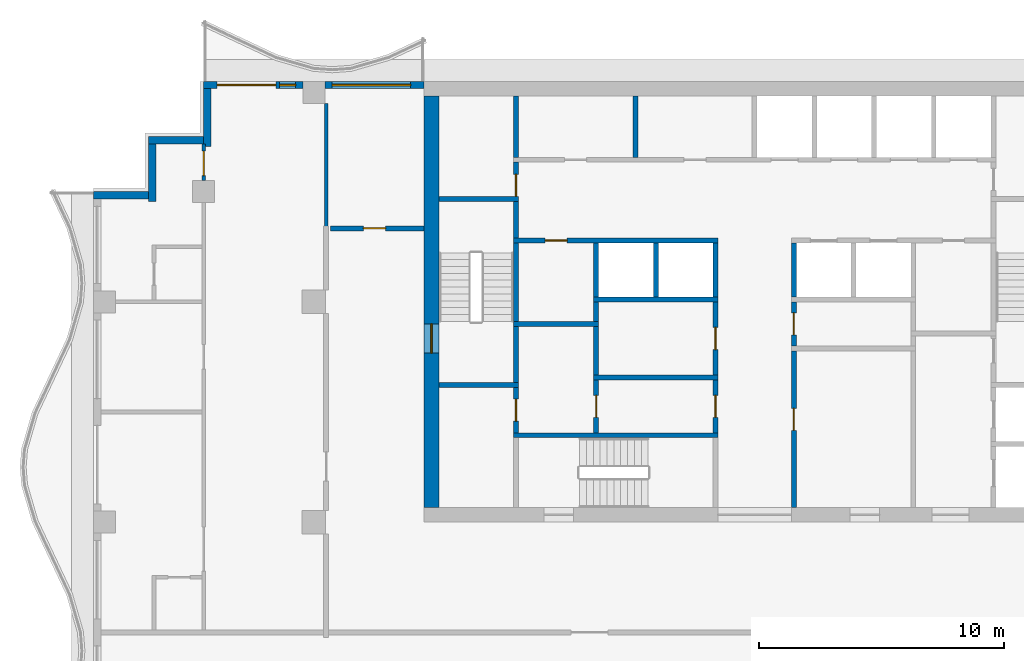
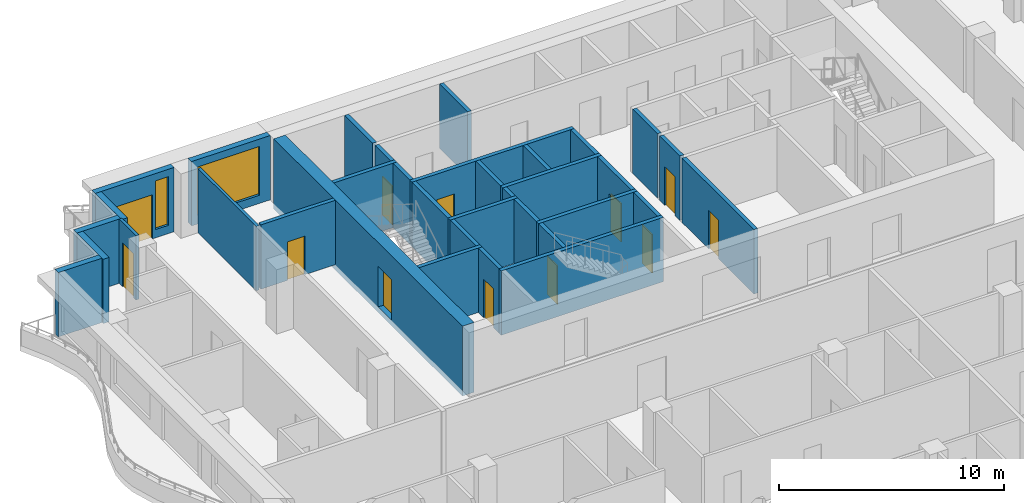
# One storey, part 5 of 11: 35 walls, 12 doors, 2 windows, 14 openings.
"""IFC4 building model written with IfcOpenShell, lengths in metres."""

from ifc_helpers import new_model, si_unit, direction, frame, frame_2d, origin, place, context, subcontext, project, spatial, rectangle, extrude, material, layer, layer_set, type_object, element, fill, save


model = new_model("IFC4")

# Units and contexts
model_context = context("Model", 3, precision=1e-05, world=origin(), true_north=direction((0.0, 1.0)))
body_context = subcontext(model_context, "Body", "Model", "MODEL_VIEW")
ifc_project = project(units=[si_unit("LENGTHUNIT", "METRE"), si_unit("AREAUNIT", "SQUARE_METRE"), si_unit("VOLUMEUNIT", "CUBIC_METRE"), si_unit("PLANEANGLEUNIT", "RADIAN"), si_unit("MASSUNIT", "GRAM", prefix="KILO")], contexts=[model_context])

# Site, building, storey
site_placement = place(None, origin())
site = spatial("IfcSite", under=ifc_project, at=site_placement, CompositionType="ELEMENT")
building_placement = place(site_placement, origin())
building = spatial("IfcBuilding", under=site, at=building_placement, Name="Orbiselva Terraces", CompositionType="ELEMENT")
storey_placement = place(building_placement, frame((0.0, 0.0, 257.8)))
storey = spatial("IfcBuildingStorey", under=building, at=storey_placement, Name="L65", CompositionType="ELEMENT", Elevation=257.8)

# Wall, opening, door
ifc_material_1 = material(Name="Concrete C80/95", Category="concrete")
ifc_layer_1 = layer(ifc_material_1, 0.6)
ifc_layer_set_1 = layer_set([ifc_layer_1], Name="Concrete C80/95")
wall_type_1 = type_object("IfcWallType", Name="CORE WALL 600", PredefinedType="SHEAR", material=ifc_layer_set_1)
wall_1_placement = place(storey_placement, frame((-13.2, 21.9, -0.3), z_axis=(0.0, 0.0, 1.0), x_axis=(0.0, -1.0, 0.0)))
wall_1 = element("IfcWall", 1, at=wall_1_placement, inside=storey, type_object=wall_type_1, Name="Core wall L65 west", PredefinedType="SHEAR", context=body_context, shape_type="SweptSolid", body=[
    extrude(rectangle(XDim=16.8, YDim=0.6, at=frame_2d((8.4, 0.0))), origin(), (0.0, 0.0, 1.0), 3.8),
])
opening_1_placement = place(wall_1_placement, frame((9.3, 0.0, 0.3)))
opening_1 = element("IfcOpeningElement", 2, at=opening_1_placement, cuts=wall_1, Name="Opening DS1200", PredefinedType="OPENING", context=body_context, shape_type="SweptSolid", body=[
    extrude(rectangle(XDim=1.2, YDim=2.2, at=frame_2d((0.6, 1.1))), frame((0.0, 0.31, 0.0), z_axis=(0.0, -1.0, 0.0), x_axis=(1.0, 0.0, 0.0)), (0.0, 0.0, 1.0), 0.62),
])
ifc_material_2 = material(Name="Steel fire door", Category="steel")
door_type_1 = type_object("IfcDoorType", Name="STAIR DOOR 1200", OperationType="NOTDEFINED", PredefinedType="DOOR", material=ifc_material_2)
door_1_placement = place(opening_1_placement, frame((1.2, 0.0, 0.0), z_axis=(0.0, 0.0, 1.0), x_axis=(-1.0, 0.0, 0.0)))
door_1 = element("IfcDoor", 3, at=door_1_placement, inside=storey, type_object=door_type_1, Name="L65 EXIT STAIR S1 door", OperationType="SINGLE_SWING_RIGHT", OverallHeight=2.2, OverallWidth=1.2, PredefinedType="DOOR", context=body_context, shape_type="SweptSolid", body=[
    extrude(rectangle(XDim=1.2, YDim=2.2, at=frame_2d((0.6, 1.1))), frame((0.0, 0.025, 0.0), z_axis=(0.0, -1.0, 0.0), x_axis=(1.0, 0.0, 0.0)), (0.0, 0.0, 1.0), 0.05),
])
fill(opening_1, door_1)

ifc_material_3 = material(Name="Masonry blockwork", Category="masonry")
ifc_layer_2 = layer(ifc_material_3, 0.2)
ifc_layer_set_2 = layer_set([ifc_layer_2], Name="Masonry blockwork")
wall_type_2 = type_object("IfcWallType", Name="CORE-WALL-PARTITION-200", PredefinedType="PARTITIONING", material=ifc_layer_set_2)
wall_2_placement = place(storey_placement, frame((-9.75, 8.15, 0.0), z_axis=(0.0, 0.0, 1.0), x_axis=(0.0, 1.0, 0.0)))
wall_2 = element("IfcWall", 4, at=wall_2_placement, inside=storey, type_object=wall_type_2, Name="L65 core wall 05", PredefinedType="PARTITIONING", context=body_context, shape_type="SweptSolid", body=[
    extrude(rectangle(XDim=1.85, YDim=0.2, at=frame_2d((0.925, 0.0))), origin(), (0.0, 0.0, 1.0), 3.5),
])
opening_2_placement = place(wall_2_placement, frame((0.475, 0.0, 0.0)))
opening_2 = element("IfcOpeningElement", 5, at=opening_2_placement, cuts=wall_2, Name="Opening DR900", PredefinedType="OPENING", context=body_context, shape_type="SweptSolid", body=[
    extrude(rectangle(XDim=0.9, YDim=2.1, at=frame_2d((0.45, 1.05))), frame((0.0, 0.11, 0.0), z_axis=(0.0, -1.0, 0.0), x_axis=(1.0, 0.0, 0.0)), (0.0, 0.0, 1.0), 0.22),
])
door_type_2 = type_object("IfcDoorType", Name="ROOM DOOR 900", OperationType="NOTDEFINED", PredefinedType="DOOR", material=ifc_material_2)
door_2_placement = place(opening_2_placement, origin())
door_2 = element("IfcDoor", 6, at=door_2_placement, inside=storey, type_object=door_type_2, Name="L65 CLEANERS STORE door", OperationType="SINGLE_SWING_RIGHT", OverallHeight=2.1, OverallWidth=0.9, PredefinedType="DOOR", context=body_context, shape_type="SweptSolid", body=[
    extrude(rectangle(XDim=0.9, YDim=2.1, at=frame_2d((0.45, 1.05))), frame((0.0, 0.025, 0.0), z_axis=(0.0, -1.0, 0.0), x_axis=(1.0, 0.0, 0.0)), (0.0, 0.0, 1.0), 0.05),
])
fill(opening_2, door_2)

wall_3_placement = place(storey_placement, frame((-9.75, 17.8, 0.0), z_axis=(0.0, 0.0, 1.0), x_axis=(0.0, 1.0, 0.0)))
wall_3 = element("IfcWall", 7, at=wall_3_placement, inside=storey, type_object=wall_type_2, Name="L65 core wall 11", PredefinedType="PARTITIONING", context=body_context, shape_type="SweptSolid", body=[
    extrude(rectangle(XDim=1.4, YDim=0.2, at=frame_2d((0.7, 0.0))), origin(), (0.0, 0.0, 1.0), 3.5),
])
opening_3_placement = place(wall_3_placement, origin())
opening_3 = element("IfcOpeningElement", 8, at=opening_3_placement, cuts=wall_3, Name="Opening DR900", PredefinedType="OPENING", context=body_context, shape_type="SweptSolid", body=[
    extrude(rectangle(XDim=0.9, YDim=2.1, at=frame_2d((0.45, 1.05))), frame((0.0, 0.11, 0.0), z_axis=(0.0, -1.0, 0.0), x_axis=(1.0, 0.0, 0.0)), (0.0, 0.0, 1.0), 0.22),
])
door_3_placement = place(opening_3_placement, origin())
door_3 = element("IfcDoor", 9, at=door_3_placement, inside=storey, type_object=door_type_2, Name="L65 COMMS RISER ROOM door", OperationType="SINGLE_SWING_LEFT", OverallHeight=2.1, OverallWidth=0.9, PredefinedType="DOOR", context=body_context, shape_type="SweptSolid", body=[
    extrude(rectangle(XDim=0.9, YDim=2.1, at=frame_2d((0.45, 1.05))), frame((0.0, 0.025, 0.0), z_axis=(0.0, -1.0, 0.0), x_axis=(1.0, 0.0, 0.0)), (0.0, 0.0, 1.0), 0.05),
])
fill(opening_3, door_3)

# Wall
wall_4_placement = place(storey_placement, frame((-9.75, 19.4, 0.0), z_axis=(0.0, 0.0, 1.0), x_axis=(0.0, 1.0, 0.0)))
element("IfcWall", 10, at=wall_4_placement, inside=storey, type_object=wall_type_2, Name="L65 core wall 13", PredefinedType="PARTITIONING", context=body_context, shape_type="SweptSolid", body=[
    extrude(rectangle(XDim=2.5, YDim=0.2, at=frame_2d((1.25, 0.0))), origin(), (0.0, 0.0, 1.0), 3.5),
])

# Wall, opening, door
wall_5_placement = place(storey_placement, frame((-6.475, 8.15, 0.0), z_axis=(0.0, 0.0, 1.0), x_axis=(0.0, 1.0, 0.0)))
wall_5 = element("IfcWall", 11, at=wall_5_placement, inside=storey, type_object=wall_type_2, Name="L65 core wall 14", PredefinedType="PARTITIONING", context=body_context, shape_type="SweptSolid", body=[
    extrude(rectangle(XDim=2.15, YDim=0.2, at=frame_2d((1.075, 0.0))), origin(), (0.0, 0.0, 1.0), 3.5),
])
opening_4_placement = place(wall_5_placement, frame((0.625, 0.0, 0.0)))
opening_4 = element("IfcOpeningElement", 12, at=opening_4_placement, cuts=wall_5, Name="Opening DR900", PredefinedType="OPENING", context=body_context, shape_type="SweptSolid", body=[
    extrude(rectangle(XDim=0.9, YDim=2.1, at=frame_2d((0.45, 1.05))), frame((0.0, 0.11, 0.0), z_axis=(0.0, -1.0, 0.0), x_axis=(1.0, 0.0, 0.0)), (0.0, 0.0, 1.0), 0.22),
])
door_4_placement = place(opening_4_placement, origin())
door_4 = element("IfcDoor", 13, at=door_4_placement, inside=storey, type_object=door_type_2, Name="L65 STAFF ROOM door", OperationType="SINGLE_SWING_LEFT", OverallHeight=2.1, OverallWidth=0.9, PredefinedType="DOOR", context=body_context, shape_type="SweptSolid", body=[
    extrude(rectangle(XDim=0.9, YDim=2.1, at=frame_2d((0.45, 1.05))), frame((0.0, 0.025, 0.0), z_axis=(0.0, -1.0, 0.0), x_axis=(1.0, 0.0, 0.0)), (0.0, 0.0, 1.0), 0.05),
])
fill(opening_4, door_4)

# Walls
wall_6_placement = place(storey_placement, frame((-6.475, 10.5, 0.0), z_axis=(0.0, 0.0, 1.0), x_axis=(0.0, 1.0, 0.0)))
element("IfcWall", 14, at=wall_6_placement, inside=storey, type_object=wall_type_2, Name="L65 core wall 16", PredefinedType="PARTITIONING", context=body_context, shape_type="SweptSolid", body=[
    extrude(rectangle(XDim=2.0, YDim=0.2, at=frame_2d((1.0, 0.0))), origin(), (0.0, 0.0, 1.0), 3.5),
])
wall_7_placement = place(storey_placement, frame((-6.475, 12.7, 0.0), z_axis=(0.0, 0.0, 1.0), x_axis=(0.0, 1.0, 0.0)))
element("IfcWall", 15, at=wall_7_placement, inside=storey, type_object=wall_type_2, Name="L65 core wall 17", PredefinedType="PARTITIONING", context=body_context, shape_type="SweptSolid", body=[
    extrude(rectangle(XDim=0.8, YDim=0.2, at=frame_2d((0.4, 0.0))), origin(), (0.0, 0.0, 1.0), 3.5),
])
wall_8_placement = place(storey_placement, frame((-4.875, 19.4, 0.0), z_axis=(0.0, 0.0, 1.0), x_axis=(0.0, 1.0, 0.0)))
element("IfcWall", 16, at=wall_8_placement, inside=storey, type_object=wall_type_2, Name="L65 core wall 20", PredefinedType="PARTITIONING", context=body_context, shape_type="SweptSolid", body=[
    extrude(rectangle(XDim=2.5, YDim=0.2, at=frame_2d((1.25, 0.0))), origin(), (0.0, 0.0, 1.0), 3.5),
])

# Wall, opening, door
wall_9_placement = place(storey_placement, frame((-1.6, 8.15, 0.0), z_axis=(0.0, 0.0, 1.0), x_axis=(0.0, 1.0, 0.0)))
wall_9 = element("IfcWall", 17, at=wall_9_placement, inside=storey, type_object=wall_type_2, Name="L65 core wall 23", PredefinedType="PARTITIONING", context=body_context, shape_type="SweptSolid", body=[
    extrude(rectangle(XDim=2.15, YDim=0.2, at=frame_2d((1.075, 0.0))), origin(), (0.0, 0.0, 1.0), 3.5),
])
opening_5_placement = place(wall_9_placement, frame((0.625, 0.0, 0.0)))
opening_5 = element("IfcOpeningElement", 18, at=opening_5_placement, cuts=wall_9, Name="Opening DR900", PredefinedType="OPENING", context=body_context, shape_type="SweptSolid", body=[
    extrude(rectangle(XDim=0.9, YDim=2.1, at=frame_2d((0.45, 1.05))), frame((0.0, 0.11, 0.0), z_axis=(0.0, -1.0, 0.0), x_axis=(1.0, 0.0, 0.0)), (0.0, 0.0, 1.0), 0.22),
])
door_5_placement = place(opening_5_placement, origin())
door_5 = element("IfcDoor", 19, at=door_5_placement, inside=storey, type_object=door_type_2, Name="L65 SERVICE PANTRY door", OperationType="SINGLE_SWING_LEFT", OverallHeight=2.1, OverallWidth=0.9, PredefinedType="DOOR", context=body_context, shape_type="SweptSolid", body=[
    extrude(rectangle(XDim=0.9, YDim=2.1, at=frame_2d((0.45, 1.05))), frame((0.0, 0.025, 0.0), z_axis=(0.0, -1.0, 0.0), x_axis=(1.0, 0.0, 0.0)), (0.0, 0.0, 1.0), 0.05),
])
fill(opening_5, door_5)

wall_10_placement = place(storey_placement, frame((-1.6, 10.5, 0.0), z_axis=(0.0, 0.0, 1.0), x_axis=(0.0, 1.0, 0.0)))
wall_10 = element("IfcWall", 20, at=wall_10_placement, inside=storey, type_object=wall_type_2, Name="L65 core wall 24", PredefinedType="PARTITIONING", context=body_context, shape_type="SweptSolid", body=[
    extrude(rectangle(XDim=3.0, YDim=0.2, at=frame_2d((1.5, 0.0))), origin(), (0.0, 0.0, 1.0), 3.5),
])
opening_6_placement = place(wall_10_placement, frame((1.05, 0.0, 0.0)))
opening_6 = element("IfcOpeningElement", 21, at=opening_6_placement, cuts=wall_10, Name="Opening DR900", PredefinedType="OPENING", context=body_context, shape_type="SweptSolid", body=[
    extrude(rectangle(XDim=0.9, YDim=2.1, at=frame_2d((0.45, 1.05))), frame((0.0, 0.11, 0.0), z_axis=(0.0, -1.0, 0.0), x_axis=(1.0, 0.0, 0.0)), (0.0, 0.0, 1.0), 0.22),
])
door_6_placement = place(opening_6_placement, origin())
door_6 = element("IfcDoor", 22, at=door_6_placement, inside=storey, type_object=door_type_2, Name="L65 LINEN STORE door", OperationType="SINGLE_SWING_RIGHT", OverallHeight=2.1, OverallWidth=0.9, PredefinedType="DOOR", context=body_context, shape_type="SweptSolid", body=[
    extrude(rectangle(XDim=0.9, YDim=2.1, at=frame_2d((0.45, 1.05))), frame((0.0, 0.025, 0.0), z_axis=(0.0, -1.0, 0.0), x_axis=(1.0, 0.0, 0.0)), (0.0, 0.0, 1.0), 0.05),
])
fill(opening_6, door_6)

wall_11_placement = place(storey_placement, frame((1.6, 13.5, 0.0), z_axis=(0.0, 0.0, 1.0), x_axis=(0.0, -1.0, 0.0)))
wall_11 = element("IfcWall", 23, at=wall_11_placement, inside=storey, type_object=wall_type_2, Name="L65 core wall 29", PredefinedType="PARTITIONING", context=body_context, shape_type="SweptSolid", body=[
    extrude(rectangle(XDim=1.8, YDim=0.2, at=frame_2d((0.9, 0.0))), origin(), (0.0, 0.0, 1.0), 3.5),
])
opening_7_placement = place(wall_11_placement, frame((0.45, 0.0, 0.0)))
opening_7 = element("IfcOpeningElement", 24, at=opening_7_placement, cuts=wall_11, Name="Opening DR900", PredefinedType="OPENING", context=body_context, shape_type="SweptSolid", body=[
    extrude(rectangle(XDim=0.9, YDim=2.1, at=frame_2d((0.45, 1.05))), frame((0.0, 0.11, 0.0), z_axis=(0.0, -1.0, 0.0), x_axis=(1.0, 0.0, 0.0)), (0.0, 0.0, 1.0), 0.22),
])
door_7_placement = place(opening_7_placement, origin())
door_7 = element("IfcDoor", 25, at=door_7_placement, inside=storey, type_object=door_type_2, Name="L65 IT ROOM door", OperationType="SINGLE_SWING_LEFT", OverallHeight=2.1, OverallWidth=0.9, PredefinedType="DOOR", context=body_context, shape_type="SweptSolid", body=[
    extrude(rectangle(XDim=0.9, YDim=2.1, at=frame_2d((0.45, 1.05))), frame((0.0, 0.025, 0.0), z_axis=(0.0, -1.0, 0.0), x_axis=(1.0, 0.0, 0.0)), (0.0, 0.0, 1.0), 0.05),
])
fill(opening_7, door_7)

# Walls
ifc_material_4 = material(Name="Concrete C40/50", Category="concrete")
ifc_layer_3 = layer(ifc_material_4, 0.2)
ifc_layer_set_3 = layer_set([ifc_layer_3], Name="Concrete C40/50")
wall_type_3 = type_object("IfcWallType", Name="CORE-WALL-SHAFT-200", PredefinedType="PARTITIONING", material=ifc_layer_set_3)
for number, where, z_axis, x_axis, name in (
    (26, (-6.475, 13.7, 0.0), (0.0, 0.0, 1.0), (0.0, 1.0, 0.0), "L65 core wall 19"),
    (27, (-4.0375, 13.7, 0.0), (0.0, 0.0, 1.0), (0.0, 1.0, 0.0), "L65 core wall 21"),
    (28, (-1.6, 13.7, 0.0), (0.0, 0.0, 1.0), (0.0, 1.0, 0.0), "L65 core wall 25"),
    (29, (1.6, 13.7, 0.0), (0.0, 0.0, 1.0), (0.0, 1.0, 0.0), "L65 core wall 31"),
):
    element("IfcWall", number, at=place(storey_placement, frame(where, z_axis=z_axis, x_axis=x_axis)), inside=storey, type_object=wall_type_3, Name=name, PredefinedType="PARTITIONING", context=body_context, shape_type="SweptSolid", body=[
        extrude(rectangle(XDim=2.2, YDim=0.2, at=frame_2d((1.1, 0.0))), origin(), (0.0, 0.0, 1.0), 3.5),
    ])
ifc_material_5 = material(Name="Concrete C60/75", Category="concrete")
ifc_layer_4 = layer(ifc_material_5, 0.2)
ifc_layer_set_4 = layer_set([ifc_layer_4], Name="Concrete C60/75")
wall_type_4 = type_object("IfcWallType", Name="CORE-WALL-SHEAR-200", PredefinedType="SHEAR", material=ifc_layer_set_4)
for number, where, z_axis, x_axis, name in (
    (30, (-12.9, 10.1, 0.0), (0.0, 0.0, 1.0), (1.0, 0.0, 0.0), "L65 core wall 01"),
    (31, (-12.9, 17.7, 0.0), (0.0, 0.0, 1.0), (1.0, 0.0, 0.0), "L65 core wall 02"),
):
    element("IfcWall", number, at=place(storey_placement, frame(where, z_axis=z_axis, x_axis=x_axis)), inside=storey, type_object=wall_type_4, Name=name, PredefinedType="SHEAR", context=body_context, shape_type="SweptSolid", body=[
        extrude(rectangle(XDim=3.25, YDim=0.2, at=frame_2d((1.625, 0.0))), origin(), (0.0, 0.0, 1.0), 3.5),
    ])
wall_12_placement = place(storey_placement, frame((-9.85, 8.05, 0.0), z_axis=(0.0, 0.0, 1.0), x_axis=(1.0, 0.0, 0.0)))
element("IfcWall", 32, at=wall_12_placement, inside=storey, type_object=wall_type_4, Name="L65 core wall 04", PredefinedType="SHEAR", context=body_context, shape_type="SweptSolid", body=[
    extrude(rectangle(XDim=8.35, YDim=0.2, at=frame_2d((4.175, 0.0))), origin(), (0.0, 0.0, 1.0), 3.5),
])
wall_13_placement = place(storey_placement, frame((-9.75, 10.2, 0.0), z_axis=(0.0, 0.0, 1.0), x_axis=(0.0, 1.0, 0.0)))
element("IfcWall", 33, at=wall_13_placement, inside=storey, type_object=wall_type_4, Name="L65 core wall 06", PredefinedType="SHEAR", context=body_context, shape_type="SweptSolid", body=[
    extrude(rectangle(XDim=2.3, YDim=0.2, at=frame_2d((1.15, 0.0))), origin(), (0.0, 0.0, 1.0), 3.5),
])
wall_14_placement = place(storey_placement, frame((-9.85, 12.6, 0.0), z_axis=(0.0, 0.0, 1.0), x_axis=(1.0, 0.0, 0.0)))
element("IfcWall", 34, at=wall_14_placement, inside=storey, type_object=wall_type_4, Name="L65 core wall 07", PredefinedType="SHEAR", context=body_context, shape_type="SweptSolid", body=[
    extrude(rectangle(XDim=3.475, YDim=0.2, at=frame_2d((1.7375, 0.0))), origin(), (0.0, 0.0, 1.0), 3.5),
])
wall_15_placement = place(storey_placement, frame((-9.75, 12.7, 0.0), z_axis=(0.0, 0.0, 1.0), x_axis=(0.0, 1.0, 0.0)))
element("IfcWall", 35, at=wall_15_placement, inside=storey, type_object=wall_type_4, Name="L65 core wall 08", PredefinedType="SHEAR", context=body_context, shape_type="SweptSolid", body=[
    extrude(rectangle(XDim=3.2, YDim=0.2, at=frame_2d((1.6, 0.0))), origin(), (0.0, 0.0, 1.0), 3.5),
])

# Wall, opening, door
wall_16_placement = place(storey_placement, frame((-1.5, 16.0, 0.0), z_axis=(0.0, 0.0, 1.0), x_axis=(-1.0, 0.0, 0.0)))
wall_16 = element("IfcWall", 36, at=wall_16_placement, inside=storey, type_object=wall_type_4, Name="L65 core wall 09", PredefinedType="SHEAR", context=body_context, shape_type="SweptSolid", body=[
    extrude(rectangle(XDim=8.35, YDim=0.2, at=frame_2d((4.175, 0.0))), origin(), (0.0, 0.0, 1.0), 3.5),
])
opening_8_placement = place(wall_16_placement, frame((6.1625, 0.0, 0.0)))
opening_8 = element("IfcOpeningElement", 37, at=opening_8_placement, cuts=wall_16, Name="Opening DR900", PredefinedType="OPENING", context=body_context, shape_type="SweptSolid", body=[
    extrude(rectangle(XDim=0.9, YDim=2.1, at=frame_2d((0.45, 1.05))), frame((0.0, 0.11, 0.0), z_axis=(0.0, -1.0, 0.0), x_axis=(1.0, 0.0, 0.0)), (0.0, 0.0, 1.0), 0.22),
])
door_8_placement = place(opening_8_placement, origin())
door_8 = element("IfcDoor", 38, at=door_8_placement, inside=storey, type_object=door_type_2, Name="L65 IT ROOM door", OperationType="SINGLE_SWING_RIGHT", OverallHeight=2.1, OverallWidth=0.9, PredefinedType="DOOR", context=body_context, shape_type="SweptSolid", body=[
    extrude(rectangle(XDim=0.9, YDim=2.1, at=frame_2d((0.45, 1.05))), frame((0.0, 0.025, 0.0), z_axis=(0.0, -1.0, 0.0), x_axis=(1.0, 0.0, 0.0)), (0.0, 0.0, 1.0), 0.05),
])
fill(opening_8, door_8)

# Walls
wall_17_placement = place(storey_placement, frame((-9.75, 16.1, 0.0), z_axis=(0.0, 0.0, 1.0), x_axis=(0.0, 1.0, 0.0)))
element("IfcWall", 39, at=wall_17_placement, inside=storey, type_object=wall_type_4, Name="L65 core wall 10", PredefinedType="SHEAR", context=body_context, shape_type="SweptSolid", body=[
    extrude(rectangle(XDim=1.5, YDim=0.2, at=frame_2d((0.75, 0.0))), origin(), (0.0, 0.0, 1.0), 3.5),
])
for number, where, z_axis, x_axis, name in (
    (40, (-6.575, 10.4, 0.0), (0.0, 0.0, 1.0), (1.0, 0.0, 0.0), "L65 core wall 15"),
    (41, (-6.575, 13.6, 0.0), (0.0, 0.0, 1.0), (1.0, 0.0, 0.0), "L65 core wall 18"),
):
    element("IfcWall", number, at=place(storey_placement, frame(where, z_axis=z_axis, x_axis=x_axis)), inside=storey, type_object=wall_type_4, Name=name, PredefinedType="SHEAR", context=body_context, shape_type="SweptSolid", body=[
        extrude(rectangle(XDim=5.075, YDim=0.2, at=frame_2d((2.5375, 0.0))), origin(), (0.0, 0.0, 1.0), 3.5),
    ])

# Wall, opening, door
wall_18_placement = place(storey_placement, frame((1.6, 11.5, 0.0), z_axis=(0.0, 0.0, 1.0), x_axis=(0.0, -1.0, 0.0)))
wall_18 = element("IfcWall", 42, at=wall_18_placement, inside=storey, type_object=wall_type_4, Name="L65 core wall 27", PredefinedType="SHEAR", context=body_context, shape_type="SweptSolid", body=[
    extrude(rectangle(XDim=6.4, YDim=0.2, at=frame_2d((3.2, 0.0))), origin(), (0.0, 0.0, 1.0), 3.5),
])
opening_9_placement = place(wall_18_placement, frame((2.35, 0.0, 0.0)))
opening_9 = element("IfcOpeningElement", 43, at=opening_9_placement, cuts=wall_18, Name="Opening DR900", PredefinedType="OPENING", context=body_context, shape_type="SweptSolid", body=[
    extrude(rectangle(XDim=0.9, YDim=2.1, at=frame_2d((0.45, 1.05))), frame((0.0, 0.11, 0.0), z_axis=(0.0, -1.0, 0.0), x_axis=(1.0, 0.0, 0.0)), (0.0, 0.0, 1.0), 0.22),
])
door_9_placement = place(opening_9_placement, origin())
door_9 = element("IfcDoor", 44, at=door_9_placement, inside=storey, type_object=door_type_2, Name="L65 SERVICE ROOM door", OperationType="SINGLE_SWING_LEFT", OverallHeight=2.1, OverallWidth=0.9, PredefinedType="DOOR", context=body_context, shape_type="SweptSolid", body=[
    extrude(rectangle(XDim=0.9, YDim=2.1, at=frame_2d((0.45, 1.05))), frame((0.0, 0.025, 0.0), z_axis=(0.0, -1.0, 0.0), x_axis=(1.0, 0.0, 0.0)), (0.0, 0.0, 1.0), 0.05),
])
fill(opening_9, door_9)

# Wall, opening, window
ifc_material_6 = material(Name="Terracotta cladding on masonry backing", Category="masonry")
ifc_layer_5 = layer(ifc_material_6, 0.3)
ifc_layer_set_5 = layer_set([ifc_layer_5], Name="Terracotta cladding on masonry backing")
wall_type_5 = type_object("IfcWallType", Name="ENV-WALL-TERRACOTTA-300", PredefinedType="SOLIDWALL", material=ifc_layer_set_5)
wall_19_placement = place(storey_placement, frame((-17.55, 22.35, 0.0), z_axis=(0.0, 0.0, 1.0), x_axis=(1.0, 0.0, 0.0)))
wall_19 = element("IfcWall", 45, at=wall_19_placement, inside=storey, type_object=wall_type_5, Name="Facade wall L65 NW", PredefinedType="SOLIDWALL", context=body_context, shape_type="SweptSolid", body=[
    extrude(rectangle(XDim=4.05, YDim=0.3, at=frame_2d((2.025, 0.0))), origin(), (0.0, 0.0, 1.0), 3.5),
])
opening_10_placement = place(wall_19_placement, frame((0.3, 0.0, 0.45)))
opening_10 = element("IfcOpeningElement", 46, at=opening_10_placement, cuts=wall_19, Name="Opening WN17", PredefinedType="OPENING", context=body_context, shape_type="SweptSolid", body=[
    extrude(rectangle(XDim=3.2, YDim=2.65, at=frame_2d((1.6, 1.325))), frame((0.0, 0.16, 0.0), z_axis=(0.0, -1.0, 0.0), x_axis=(1.0, 0.0, 0.0)), (0.0, 0.0, 1.0), 0.32),
])
ifc_material_7 = material(Name="Clear low-e glazing in aluminium frame", Category="aluminium")
window_type_1 = type_object("IfcWindowType", Name="WINDOW 3200 X 2650 S450", PartitioningType="TRIPLE_PANEL_VERTICAL", PredefinedType="WINDOW", material=ifc_material_7)
window_1_placement = place(opening_10_placement, origin())
window_1 = element("IfcWindow", 47, at=window_1_placement, inside=storey, type_object=window_type_1, Name="Window L65 NW", OverallHeight=2.65, OverallWidth=3.2, PartitioningType="SINGLE_PANEL", PredefinedType="WINDOW", context=body_context, shape_type="SweptSolid", body=[
    extrude(rectangle(XDim=3.2, YDim=2.65, at=frame_2d((1.6, 1.325))), frame((0.0, 0.03, 0.0), z_axis=(0.0, -1.0, 0.0), x_axis=(1.0, 0.0, 0.0)), (0.0, 0.0, 1.0), 0.06),
])
fill(opening_10, window_1)

# Wall, openings, door, window
wall_20_placement = place(storey_placement, frame((-22.5, 22.35, 0.0), z_axis=(0.0, 0.0, 1.0), x_axis=(1.0, 0.0, 0.0)))
wall_20 = element("IfcWall", 48, at=wall_20_placement, inside=storey, type_object=wall_type_5, Name="Facade wall L65 NW", PredefinedType="SOLIDWALL", context=body_context, shape_type="SweptSolid", body=[
    extrude(rectangle(XDim=4.05, YDim=0.3, at=frame_2d((2.025, 0.0))), origin(), (0.0, 0.0, 1.0), 3.5),
])
opening_11_placement = place(wall_20_placement, frame((3.1, 0.0, 0.45)))
opening_11 = element("IfcOpeningElement", 49, at=opening_11_placement, cuts=wall_20, Name="Opening WN2", PredefinedType="OPENING", context=body_context, shape_type="SweptSolid", body=[
    extrude(rectangle(XDim=0.65, YDim=2.65, at=frame_2d((0.325, 1.325))), frame((0.0, 0.16, 0.0), z_axis=(0.0, -1.0, 0.0), x_axis=(1.0, 0.0, 0.0)), (0.0, 0.0, 1.0), 0.32),
])
opening_12_placement = place(wall_20_placement, frame((0.55, 0.0, 0.0)))
opening_12 = element("IfcOpeningElement", 50, at=opening_12_placement, cuts=wall_20, Name="Opening Z5-B-E21", PredefinedType="OPENING", context=body_context, shape_type="SweptSolid", body=[
    extrude(rectangle(XDim=2.4, YDim=2.4, at=frame_2d((1.2, 1.2))), frame((0.0, 0.16, 0.0), z_axis=(0.0, -1.0, 0.0), x_axis=(1.0, 0.0, 0.0)), (0.0, 0.0, 1.0), 0.32),
])
door_type_3 = type_object("IfcDoorType", Name="BALCONY DOOR 2400 X 2400", OperationType="DOUBLE_DOOR_SLIDING", PredefinedType="DOOR", material=ifc_material_7)
door_10_placement = place(opening_12_placement, origin())
door_10 = element("IfcDoor", 51, at=door_10_placement, inside=storey, type_object=door_type_3, Name="Z5-B-E21", OperationType="SINGLE_SWING_LEFT", OverallHeight=2.4, OverallWidth=2.4, PredefinedType="DOOR", context=body_context, shape_type="SweptSolid", body=[
    extrude(rectangle(XDim=2.4, YDim=2.4, at=frame_2d((1.2, 1.2))), frame((0.0, 0.025, 0.0), z_axis=(0.0, -1.0, 0.0), x_axis=(1.0, 0.0, 0.0)), (0.0, 0.0, 1.0), 0.05),
])
fill(opening_12, door_10)
window_type_2 = type_object("IfcWindowType", Name="WINDOW 650 X 2650 S450", PartitioningType="TRIPLE_PANEL_VERTICAL", PredefinedType="WINDOW", material=ifc_material_7)
window_2_placement = place(opening_11_placement, origin())
window_2 = element("IfcWindow", 52, at=window_2_placement, inside=storey, type_object=window_type_2, Name="Window L65 NW", OverallHeight=2.65, OverallWidth=0.65, PartitioningType="SINGLE_PANEL", PredefinedType="WINDOW", context=body_context, shape_type="SweptSolid", body=[
    extrude(rectangle(XDim=0.65, YDim=2.65, at=frame_2d((0.325, 1.325))), frame((0.0, 0.03, 0.0), z_axis=(0.0, -1.0, 0.0), x_axis=(1.0, 0.0, 0.0)), (0.0, 0.0, 1.0), 0.06),
])
fill(opening_11, window_2)

# Walls
wall_21_placement = place(storey_placement, frame((-22.35, 19.85, 0.0), z_axis=(0.0, 0.0, 1.0), x_axis=(0.0, 1.0, 0.0)))
element("IfcWall", 53, at=wall_21_placement, inside=storey, type_object=wall_type_5, Name="Facade wall L65 STEP", PredefinedType="SOLIDWALL", context=body_context, shape_type="SweptSolid", body=[
    extrude(rectangle(XDim=2.35, YDim=0.3, at=frame_2d((1.175, 0.0))), origin(), (0.0, 0.0, 1.0), 3.5),
])
wall_22_placement = place(storey_placement, frame((-24.75, 20.1, 0.0), z_axis=(0.0, 0.0, 1.0), x_axis=(1.0, 0.0, 0.0)))
element("IfcWall", 54, at=wall_22_placement, inside=storey, type_object=wall_type_5, Name="Facade wall L65 STEP", PredefinedType="SOLIDWALL", context=body_context, shape_type="SweptSolid", body=[
    extrude(rectangle(XDim=2.25, YDim=0.3, at=frame_2d((1.125, 0.0))), origin(), (0.0, 0.0, 1.0), 3.5),
])
wall_23_placement = place(storey_placement, frame((-24.6, 17.6, 0.0), z_axis=(0.0, 0.0, 1.0), x_axis=(0.0, 1.0, 0.0)))
element("IfcWall", 55, at=wall_23_placement, inside=storey, type_object=wall_type_5, Name="Facade wall L65 STEP", PredefinedType="SOLIDWALL", context=body_context, shape_type="SweptSolid", body=[
    extrude(rectangle(XDim=2.35, YDim=0.3, at=frame_2d((1.175, 0.0))), origin(), (0.0, 0.0, 1.0), 3.5),
])
wall_24_placement = place(storey_placement, frame((-27.0, 17.85, 0.0), z_axis=(0.0, 0.0, 1.0), x_axis=(1.0, 0.0, 0.0)))
element("IfcWall", 56, at=wall_24_placement, inside=storey, type_object=wall_type_5, Name="Facade wall L65 STEP", PredefinedType="SOLIDWALL", context=body_context, shape_type="SweptSolid", body=[
    extrude(rectangle(XDim=2.25, YDim=0.3, at=frame_2d((1.125, 0.0))), origin(), (0.0, 0.0, 1.0), 3.5),
])

# Wall, opening, door
ifc_material_8 = material(Name="Plasterboard on steel stud partition", Category="steel")
ifc_layer_6 = layer(ifc_material_8, 0.2)
ifc_layer_set_6 = layer_set([ifc_layer_6], Name="Plasterboard on steel stud partition")
wall_type_6 = type_object("IfcWallType", Name="UNIT-ENTRANCE-WALL-200", PredefinedType="PARTITIONING", material=ifc_layer_set_6)
wall_25_placement = place(storey_placement, frame((-17.325, 16.5, 0.0), z_axis=(0.0, 0.0, 1.0), x_axis=(1.0, 0.0, 0.0)))
wall_25 = element("IfcWall", 57, at=wall_25_placement, inside=storey, type_object=wall_type_6, Name="PARTITION L65-038", PredefinedType="PARTITIONING", context=body_context, shape_type="SweptSolid", body=[
    extrude(rectangle(XDim=3.825, YDim=0.2, at=frame_2d((1.9125, 0.0))), origin(), (0.0, 0.0, 1.0), 3.5),
])
opening_13_placement = place(wall_25_placement, frame((1.35, 0.0, 0.0)))
opening_13 = element("IfcOpeningElement", 58, at=opening_13_placement, cuts=wall_25, Name="Opening Z5-B-01", PredefinedType="OPENING", context=body_context, shape_type="SweptSolid", body=[
    extrude(rectangle(XDim=0.9, YDim=2.1, at=frame_2d((0.45, 1.05))), frame((0.0, 0.11, 0.0), z_axis=(0.0, -1.0, 0.0), x_axis=(1.0, 0.0, 0.0)), (0.0, 0.0, 1.0), 0.22),
])
ifc_material_9 = material(Name="Painted timber door leaf", Category="wood")
door_type_4 = type_object("IfcDoorType", Name="SERVICE DOOR 900", OperationType="NOTDEFINED", PredefinedType="DOOR", material=ifc_material_9)
door_11_placement = place(opening_13_placement, origin())
door_11 = element("IfcDoor", 59, at=door_11_placement, inside=storey, type_object=door_type_4, Name="Z5-B-01", OperationType="SINGLE_SWING_LEFT", OverallHeight=2.1, OverallWidth=0.9, PredefinedType="DOOR", context=body_context, shape_type="SweptSolid", body=[
    extrude(rectangle(XDim=0.9, YDim=2.1, at=frame_2d((0.45, 1.05))), frame((0.0, 0.025, 0.0), z_axis=(0.0, -1.0, 0.0), x_axis=(1.0, 0.0, 0.0)), (0.0, 0.0, 1.0), 0.05),
])
fill(opening_13, door_11)

ifc_layer_7 = layer(ifc_material_8, 0.15)
ifc_layer_set_7 = layer_set([ifc_layer_7], Name="Plasterboard on steel stud partition")
wall_type_7 = type_object("IfcWallType", Name="UNIT-PARTITION-150", PredefinedType="PARTITIONING", material=ifc_layer_set_7)
wall_26_placement = place(storey_placement, frame((-22.5, 18.45, 0.0), z_axis=(0.0, 0.0, 1.0), x_axis=(0.0, 1.0, 0.0)))
wall_26 = element("IfcWall", 60, at=wall_26_placement, inside=storey, type_object=wall_type_7, Name="PARTITION L65-045", PredefinedType="PARTITIONING", context=body_context, shape_type="SweptSolid", body=[
    extrude(rectangle(XDim=1.5, YDim=0.15, at=frame_2d((0.75, 0.0))), origin(), (0.0, 0.0, 1.0), 3.5),
])
opening_14_placement = place(wall_26_placement, frame((0.2, 0.0, 0.0)))
opening_14 = element("IfcOpeningElement", 61, at=opening_14_placement, cuts=wall_26, Name="Opening Z5-B-06", PredefinedType="OPENING", context=body_context, shape_type="SweptSolid", body=[
    extrude(rectangle(XDim=1.0, YDim=2.4, at=frame_2d((0.5, 1.2))), frame((0.0, 0.085, 0.0), z_axis=(0.0, -1.0, 0.0), x_axis=(1.0, 0.0, 0.0)), (0.0, 0.0, 1.0), 0.17),
])
door_type_5 = type_object("IfcDoorType", Name="ROOM DOOR 1000", OperationType="NOTDEFINED", PredefinedType="DOOR", material=ifc_material_9)
door_12_placement = place(opening_14_placement, origin())
door_12 = element("IfcDoor", 62, at=door_12_placement, inside=storey, type_object=door_type_5, Name="Z5-B-06", OperationType="SINGLE_SWING_LEFT", OverallHeight=2.4, OverallWidth=1.0, PredefinedType="DOOR", context=body_context, shape_type="SweptSolid", body=[
    extrude(rectangle(XDim=1.0, YDim=2.4, at=frame_2d((0.5, 1.2))), frame((0.0, 0.025, 0.0), z_axis=(0.0, -1.0, 0.0), x_axis=(1.0, 0.0, 0.0)), (0.0, 0.0, 1.0), 0.05),
])
fill(opening_14, door_12)

# Wall
wall_27_placement = place(storey_placement, frame((-17.5, 16.4, 0.0), z_axis=(0.0, 0.0, 1.0), x_axis=(0.0, 1.0, 0.0)))
element("IfcWall", 63, at=wall_27_placement, inside=storey, type_object=wall_type_7, Name="PARTITION L65-051", PredefinedType="PARTITIONING", context=body_context, shape_type="SweptSolid", body=[
    extrude(rectangle(XDim=5.2, YDim=0.15, at=frame_2d((2.6, 0.0))), origin(), (0.0, 0.0, 1.0), 3.5),
])

save(model, "model.ifc")
